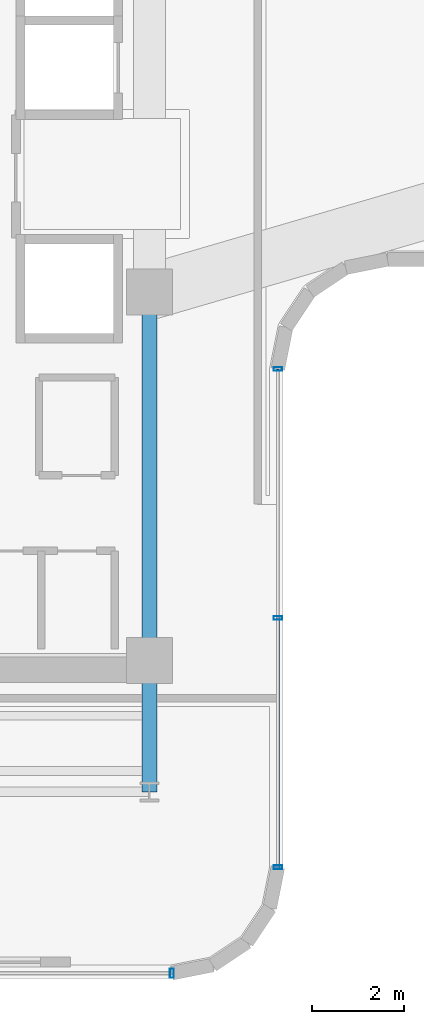
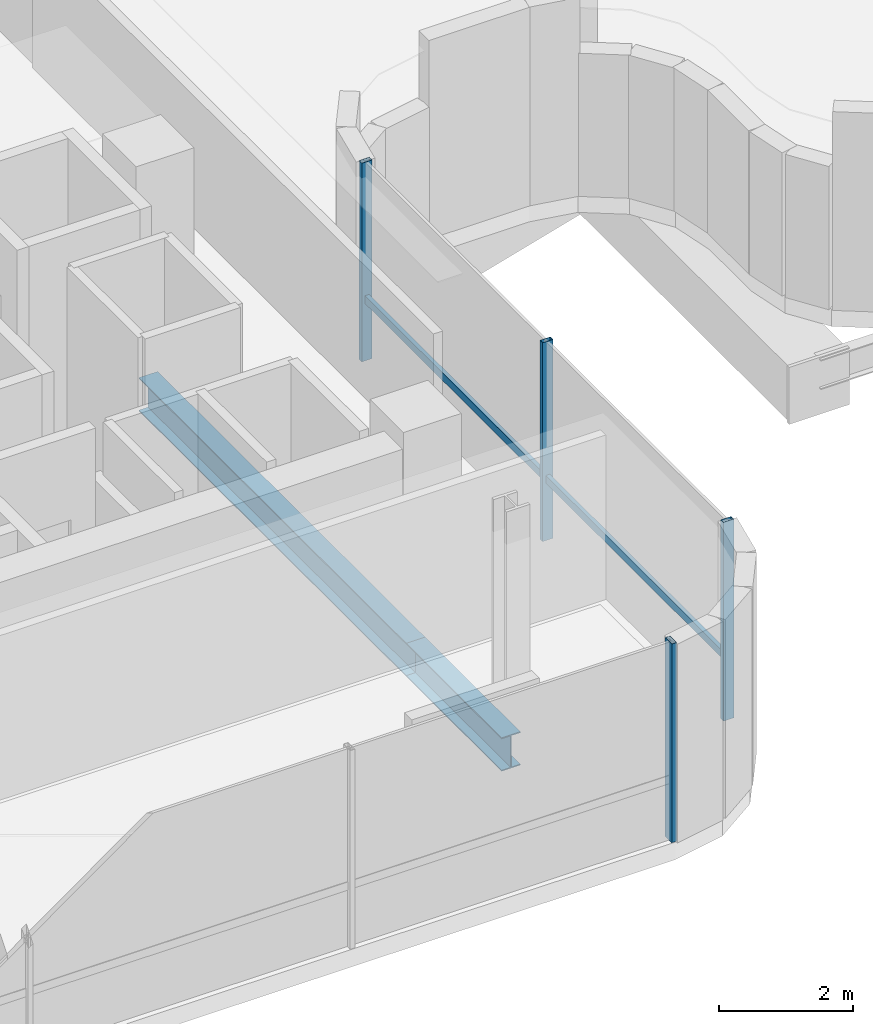
# One storey, part 6 of 39: 5 members, 2 beams, 2 elements without a shape of their own.
"""IFC4 building model written with IfcOpenShell, lengths in metres."""

from ifc_helpers import new_model, si_unit, direction, frame, origin, origin_2d, place, context, subcontext, project, spatial, hollow_rectangle, i_section, extrude, source, transform, mapped, material, material_profile, profile_set, type_object, element, aggregate, save


model = new_model("IFC4")

# Units and contexts
model_context = context("Model", 3, precision=1e-05, world=origin(), true_north=direction((0.0, 1.0)))
body_context = subcontext(model_context, "Body", "Model", "MODEL_VIEW")
ifc_project = project(units=[si_unit("LENGTHUNIT", "METRE"), si_unit("AREAUNIT", "SQUARE_METRE"), si_unit("VOLUMEUNIT", "CUBIC_METRE"), si_unit("PLANEANGLEUNIT", "RADIAN"), si_unit("MASSUNIT", "GRAM", prefix="KILO")], contexts=[model_context])

# Site, building, storey
site_placement = place(None, origin())
site = spatial("IfcSite", under=ifc_project, at=site_placement, CompositionType="ELEMENT")
building_placement = place(site_placement, origin())
building = spatial("IfcBuilding", under=site, at=building_placement, Name="Valdorenza Pilgrim Sanctuary Tower", CompositionType="ELEMENT")
storey_placement = place(building_placement, frame((0.0, 0.0, 184.449951171875)))
storey = spatial("IfcBuildingStorey", under=building, at=storey_placement, Name="L47", CompositionType="ELEMENT", Elevation=184.449951171875)

# Beams
ifc_material_1 = material(Name="Steel ASTM A992 Grade 50", Category="steel")
ifc_material_profile_1 = material_profile(ifc_material_1, i_section(OverallWidth=0.323974609375, OverallDepth=0.611083984375, WebThickness=0.0126953125, FlangeThickness=0.01904296875, at=origin_2d()), Name="W24X104")
ifc_profile_set_1 = profile_set([ifc_material_profile_1], Name="Steel ASTM A992 Grade 50")
beam_type = type_object("IfcBeamType", Name="STR-BM-GRD-W24B", PredefinedType="BEAM", material=ifc_profile_set_1)
shared_shape_1 = source(origin(), body_context, "Body", "SweptSolid", [
    extrude(i_section(OverallWidth=0.323974609375, OverallDepth=0.611083984375, WebThickness=0.0126953125, FlangeThickness=0.01904296875, at=origin_2d()), origin(), (0.0, 0.0, 1.0), 8.0),
])
beam_1_placement = place(storey_placement, frame((-12.39990234375, -10.60009765625, -0.62548828125), z_axis=(0.0, 1.0, 0.0), x_axis=(-1.0, 0.0, 0.0)))
element("IfcBeam", 1, at=beam_1_placement, inside=storey, type_object=beam_type, Name="L47 Core Tie Girder CA-E-S1M0", PredefinedType="BEAM", context=body_context, shape_type="MappedRepresentation", body=[
    mapped(shared_shape_1, transform((0.0, 0.0, 0.0), x_axis=(1.0, 0.0, 0.0), y_axis=(0.0, 1.0, 0.0), z_axis=(0.0, 0.0, 1.0), scale=1.0)),
])
shared_shape_2 = source(origin(), body_context, "Body", "SweptSolid", [
    extrude(i_section(OverallWidth=0.323974609375, OverallDepth=0.611083984375, WebThickness=0.0126953125, FlangeThickness=0.01904296875, at=origin_2d()), origin(), (0.0, 0.0, 1.0), 2.849853515625),
])
beam_2_placement = place(storey_placement, frame((-12.39990234375, -13.449951171875, -0.62548828125), z_axis=(0.0, 1.0, 0.0), x_axis=(-1.0, 0.0, 0.0)))
element("IfcBeam", 2, at=beam_2_placement, inside=storey, type_object=beam_type, Name="L47 Floor Girder WA-S-LE", PredefinedType="BEAM", context=body_context, shape_type="MappedRepresentation", body=[
    mapped(shared_shape_2, transform((0.0, 0.0, 0.0), x_axis=(1.0, 0.0, 0.0), y_axis=(0.0, 1.0, 0.0), z_axis=(0.0, 0.0, 1.0), scale=1.0)),
])

# Curtain wall, member
ifc_material_2 = material(Name="Curtain-wall IGU glazing", Category="glass")
curtain_wall_type_1 = type_object("IfcCurtainWallType", Name="CW-SYS-05", PredefinedType="NOTDEFINED", material=ifc_material_2)
curtain_wall_1_placement = place(storey_placement, origin())
curtain_wall_1 = element("IfcCurtainWall", 3, at=curtain_wall_1_placement, inside=storey, type_object=curtain_wall_type_1, Name="L47 Curtain Wall CW-L47-1-77", PredefinedType="NOTDEFINED")
ifc_material_3 = material(Name="Anodised aluminium AW-6060", Category="aluminium")
ifc_material_profile_2 = material_profile(ifc_material_3, hollow_rectangle(XDim=0.070068359375, YDim=0.139892578125, WallThickness=0.00341796875, at=origin_2d()), Name="ALU-T 140x70x3.5")
ifc_profile_set_2 = profile_set([ifc_material_profile_2], Name="Anodised aluminium AW-6060")
member_type_1 = type_object("IfcMemberType", Name="CW-TRN-05", PredefinedType="USERDEFINED", material=ifc_profile_set_2)
shared_shape_3 = source(origin(), body_context, "Body", "SweptSolid", [
    extrude(hollow_rectangle(XDim=0.070068359375, YDim=0.139892578125, WallThickness=0.00341796875, at=origin_2d()), origin(), (0.0, 0.0, 1.0), 10.81982421875),
])
member_1_placement = place(storey_placement, frame((-9.610107421875, -4.269287109375, 1.1201171875), z_axis=(0.0, -1.0, 0.0), x_axis=(1.0, 0.0, 0.0)))
member_1 = element("IfcMember", 4, at=member_1_placement, type_object=member_type_1, Name="CW-L47-1-77 Transom 1", ObjectType="TRANSOM", PredefinedType="USERDEFINED", context=body_context, shape_type="MappedRepresentation", body=[
    mapped(shared_shape_3, transform((0.0, 0.0, 0.0), x_axis=(1.0, 0.0, 0.0), y_axis=(0.0, 1.0, 0.0), z_axis=(0.0, 0.0, 1.0), scale=1.0)),
])

curtain_wall_type_2 = type_object("IfcCurtainWallType", Name="CW-SYS-02", PredefinedType="NOTDEFINED", material=ifc_material_2)
curtain_wall_2_placement = place(storey_placement, origin())
curtain_wall_2 = element("IfcCurtainWall", 5, at=curtain_wall_2_placement, inside=storey, type_object=curtain_wall_type_2, Name="L47 Curtain Wall CW-L47-1-82", PredefinedType="NOTDEFINED")
ifc_material_profile_3 = material_profile(ifc_material_3, hollow_rectangle(XDim=0.0849609375, YDim=0.199951171875, WallThickness=0.0048828125, at=origin_2d()), Name="ALU-M 200x85x5")
ifc_profile_set_3 = profile_set([ifc_material_profile_3], Name="Anodised aluminium AW-6060")
member_type_2 = type_object("IfcMemberType", Name="CW-MUL-02", PredefinedType="MULLION", material=ifc_profile_set_3)
shared_shape_4 = source(origin(), body_context, "Body", "SweptSolid", [
    extrude(hollow_rectangle(XDim=0.0849609375, YDim=0.199951171875, WallThickness=0.0048828125, at=origin_2d()), origin(), (0.0, 0.0, 1.0), 3.630126953125),
])
member_2_placement = place(storey_placement, frame((-11.910888671875, -17.389892578125, 0.0), z_axis=(0.0, 0.0, 1.0), x_axis=(-1.0, 0.0, 0.0)))
member_2 = element("IfcMember", 6, at=member_2_placement, type_object=member_type_2, Name="CW-L47-1-82 Mullion 1", PredefinedType="MULLION", context=body_context, shape_type="MappedRepresentation", body=[
    mapped(shared_shape_4, transform((0.0, 0.0, 0.0), x_axis=(1.0, 0.0, 0.0), y_axis=(0.0, 1.0, 0.0), z_axis=(0.0, 0.0, 1.0), scale=1.0)),
])
aggregate(curtain_wall_2, [member_2])

# Member
ifc_material_profile_4 = material_profile(ifc_material_3, hollow_rectangle(XDim=0.080078125, YDim=0.179931640625, WallThickness=0.00439453125, at=origin_2d()), Name="ALU-M 180x80x4.5")
ifc_profile_set_4 = profile_set([ifc_material_profile_4], Name="Anodised aluminium AW-6060")
member_type_3 = type_object("IfcMemberType", Name="CW-MUL-05", PredefinedType="MULLION", material=ifc_profile_set_4)
shared_shape_5 = source(origin(), body_context, "Body", "SweptSolid", [
    extrude(hollow_rectangle(XDim=0.080078125, YDim=0.179931640625, WallThickness=0.00439453125, at=origin_2d()), origin(), (0.0, 0.0, 1.0), 3.630126953125),
])
member_3_placement = place(storey_placement, frame((-9.610107421875, -4.269287109375, 0.0), z_axis=(0.0, 0.0, 1.0), x_axis=(0.0, -1.0, 0.0)))
member_3 = element("IfcMember", 7, at=member_3_placement, type_object=member_type_3, Name="CW-L47-1-77 Mullion 1", PredefinedType="MULLION", context=body_context, shape_type="MappedRepresentation", body=[
    mapped(shared_shape_5, transform((0.0, 0.0, 0.0), x_axis=(1.0, 0.0, 0.0), y_axis=(0.0, 1.0, 0.0), z_axis=(0.0, 0.0, 1.0), scale=1.0)),
])

member_4_placement = place(storey_placement, frame((-9.610107421875, -9.67919921875, 0.0), z_axis=(0.0, 0.0, 1.0), x_axis=(0.0, -1.0, 0.0)))
member_4 = element("IfcMember", 8, at=member_4_placement, type_object=member_type_3, Name="CW-L47-1-77 Mullion 2", PredefinedType="MULLION", context=body_context, shape_type="MappedRepresentation", body=[
    mapped(shared_shape_5, transform((0.0, 0.0, 0.0), x_axis=(1.0, 0.0, 0.0), y_axis=(0.0, 1.0, 0.0), z_axis=(0.0, 0.0, 1.0), scale=1.0)),
])

member_5_placement = place(storey_placement, frame((-9.610107421875, -15.089111328125, 0.0), z_axis=(0.0, 0.0, 1.0), x_axis=(0.0, -1.0, 0.0)))
member_5 = element("IfcMember", 9, at=member_5_placement, type_object=member_type_3, Name="CW-L47-1-77 Mullion 3", PredefinedType="MULLION", context=body_context, shape_type="MappedRepresentation", body=[
    mapped(shared_shape_5, transform((0.0, 0.0, 0.0), x_axis=(1.0, 0.0, 0.0), y_axis=(0.0, 1.0, 0.0), z_axis=(0.0, 0.0, 1.0), scale=1.0)),
])

aggregate(curtain_wall_1, [member_3, member_4, member_5, member_1])

save(model, "model.ifc")
